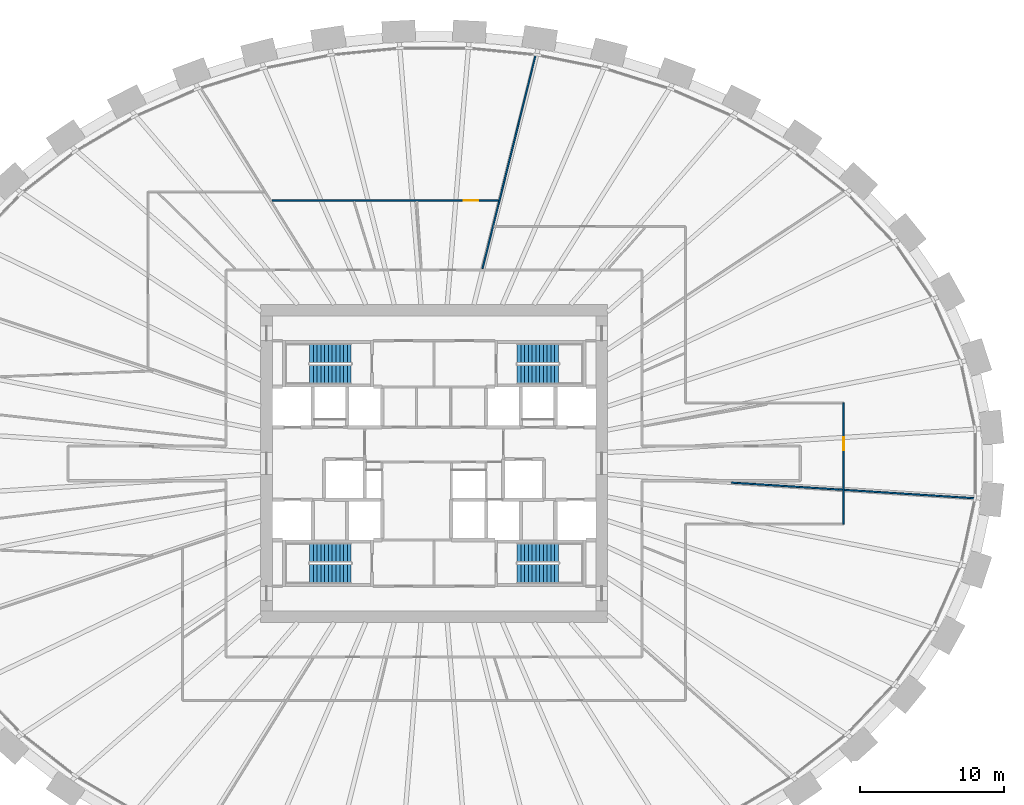
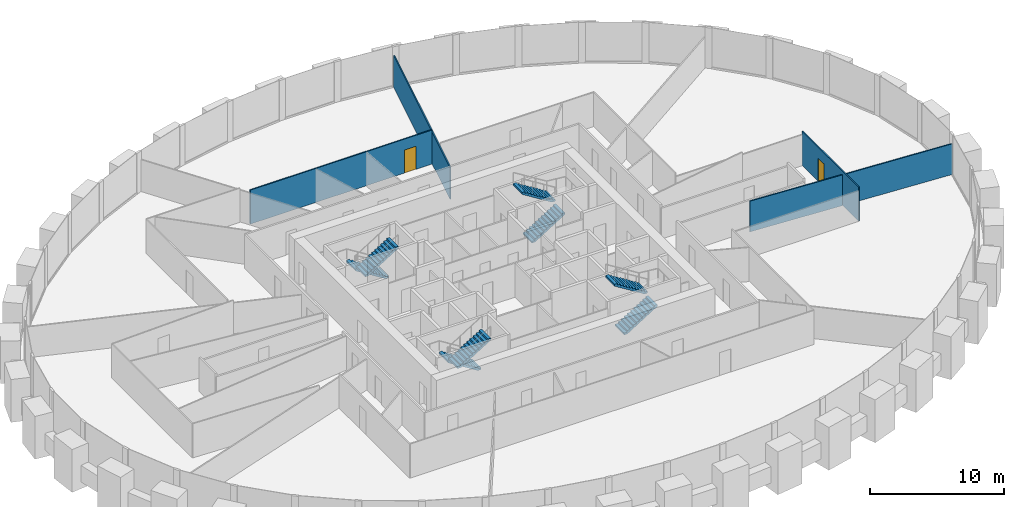
# One storey, part 10 of 11: 8 stair flights, 4 walls, 2 doors, 2 openings, 4 elements without a shape of their own.
"""IFC4 building model written with IfcOpenShell, lengths in metres."""

from ifc_helpers import new_model, si_unit, direction, frame, frame_2d, origin, place, context, subcontext, project, spatial, polyline, rectangle, outline, extrude, source, transform, mapped, material, layer, layer_set, type_object, element, fill, aggregate, save


model = new_model("IFC4")

# Units and contexts
model_context = context("Model", 3, precision=1e-05, world=origin(), true_north=direction((0.0, 1.0)))
body_context = subcontext(model_context, "Body", "Model", "MODEL_VIEW")
ifc_project = project(units=[si_unit("LENGTHUNIT", "METRE"), si_unit("AREAUNIT", "SQUARE_METRE"), si_unit("VOLUMEUNIT", "CUBIC_METRE"), si_unit("PLANEANGLEUNIT", "RADIAN"), si_unit("MASSUNIT", "GRAM", prefix="KILO")], contexts=[model_context])

# Site, building, storey
site_placement = place(None, origin())
site = spatial("IfcSite", under=ifc_project, at=site_placement, CompositionType="ELEMENT")
building_placement = place(site_placement, origin())
building = spatial("IfcBuilding", under=site, at=building_placement, Name="Embergate Tower", CompositionType="ELEMENT")
storey_placement = place(building_placement, frame((0.0, 0.0, 139.800048828125)))
storey = spatial("IfcBuildingStorey", under=building, at=storey_placement, Name="L30", CompositionType="ELEMENT", Elevation=139.800048828125)

# Wall, opening, door
ifc_material_1 = material(Name="Partition dry-lined 100")
ifc_layer_1 = layer(ifc_material_1, 0.10009765625)
ifc_layer_set_1 = layer_set([ifc_layer_1], Name="Partition dry-lined 100")
wall_type_1 = type_object("IfcWallType", Name="Partition dry-lined 100", PredefinedType="PARTITIONING", material=ifc_layer_set_1)
shared_shape_1 = source(origin(), body_context, "Body", "SweptSolid", [
    extrude(rectangle(XDim=8.39990234375, YDim=0.10009765625, at=frame_2d((4.199951171875, 0.0))), origin(), (0.0, 0.0, 1.0), 3.099853515625),
])
wall_1_placement = place(storey_placement, frame((28.35009765625, 4.199951171875, 0.0), z_axis=(0.0, 0.0, 1.0), x_axis=(0.0, -1.0, 0.0)))
wall_1 = element("IfcWall", 1, at=wall_1_placement, inside=storey, type_object=wall_type_1, Name="IP-1 wall", PredefinedType="PARTITIONING", context=body_context, shape_type="MappedRepresentation", body=[
    mapped(shared_shape_1, transform((0.0, 0.0, 0.0))),
])
shared_shape_2 = source(origin(), body_context, "Body", "SweptSolid", [
    extrude(rectangle(XDim=0.89990234375, YDim=2.10009765625, at=frame_2d((0.449951171875, 1.050048828125))), frame((0.0, 0.06005859375, 0.0), z_axis=(0.0, -1.0, 0.0), x_axis=(1.0, 0.0, 0.0)), (0.0, 0.0, 1.0), 0.1201171875),
])
opening_1_placement = place(wall_1_placement, frame((2.381103515625, 0.0, 0.0)))
opening_1 = element("IfcOpeningElement", 2, at=opening_1_placement, cuts=wall_1, Name="Opening ID-1", PredefinedType="OPENING", context=body_context, shape_type="MappedRepresentation", body=[
    mapped(shared_shape_2, transform((0.0, 0.0, 0.0))),
])
ifc_material_2 = material(Name="Interior door 900")
door_type_1 = type_object("IfcDoorType", Name="Interior door 900", OperationType="SINGLE_SWING_LEFT", PredefinedType="DOOR", material=ifc_material_2)
shared_shape_3 = source(origin(), body_context, "Body", "SweptSolid", [
    extrude(rectangle(XDim=0.89990234375, YDim=2.10009765625, at=frame_2d((0.449951171875, 1.050048828125))), frame((0.0, 0.02490234375, 0.0), z_axis=(0.0, -1.0, 0.0), x_axis=(1.0, 0.0, 0.0)), (0.0, 0.0, 1.0), 0.050048828125),
])
door_1_placement = place(opening_1_placement, origin())
door_1 = element("IfcDoor", 3, at=door_1_placement, inside=storey, type_object=door_type_1, Name="ID-1 door", OperationType="SINGLE_SWING_RIGHT", OverallHeight=2.10009765625, OverallWidth=0.89990234375, PredefinedType="DOOR", context=body_context, shape_type="MappedRepresentation", body=[
    mapped(shared_shape_3, transform((0.0, 0.0, 0.0))),
])
fill(opening_1, door_1)

# Walls
ifc_material_3 = material(Name="Partition dry-lined 100 wet")
ifc_layer_2 = layer(ifc_material_3, 0.10009765625)
ifc_layer_set_2 = layer_set([ifc_layer_2], Name="Partition dry-lined 100 wet")
wall_type_2 = type_object("IfcWallType", Name="Partition dry-lined 100 wet", PredefinedType="PLUMBINGWALL", material=ifc_layer_set_2)
shared_shape_4 = source(origin(), body_context, "Body", "SweptSolid", [
    extrude(rectangle(XDim=16.8779296875, YDim=0.10009765625, at=frame_2d((8.43896484375, 0.0))), origin(), (0.0, 0.0, 1.0), 2.800048828125),
])
wall_2_placement = place(storey_placement, frame((37.428955078125, -2.408935546875, 0.0), z_axis=(0.0, 0.0, 1.0), x_axis=(-0.9979354297, 0.064225214279, 0.0)))
element("IfcWall", 4, at=wall_2_placement, inside=storey, type_object=wall_type_2, Name="IP-1 wall", PredefinedType="PLUMBINGWALL", context=body_context, shape_type="MappedRepresentation", body=[
    mapped(shared_shape_4, transform((0.0, 0.0, 0.0))),
])
shared_shape_5 = source(origin(), body_context, "Body", "SweptSolid", [
    extrude(rectangle(XDim=15.25390625, YDim=0.10009765625, at=frame_2d((7.626953125, 0.0))), origin(), (0.0, 0.0, 1.0), 2.89990234375),
])
wall_3_placement = place(storey_placement, frame((3.35107421875, 13.487060546875, 0.0), z_axis=(0.0, 0.0, 1.0), x_axis=(0.241115625905, 0.970496396152, 0.0)))
element("IfcWall", 5, at=wall_3_placement, inside=storey, type_object=wall_type_1, Name="IP-1 wall", PredefinedType="PARTITIONING", context=body_context, shape_type="MappedRepresentation", body=[
    mapped(shared_shape_5, transform((0.0, 0.0, 0.0))),
])

# Wall, opening, door
shared_shape_6 = source(origin(), body_context, "Body", "SweptSolid", [
    extrude(rectangle(XDim=15.677001953125, YDim=0.10009765625, at=frame_2d((7.83837890625, 0.0))), origin(), (0.0, 0.0, 1.0), 3.099853515625),
])
wall_4_placement = place(storey_placement, frame((-11.218994140625, 18.199951171875, 0.0), z_axis=(0.0, 0.0, 1.0), x_axis=(1.0, 0.0, 0.0)))
wall_4 = element("IfcWall", 6, at=wall_4_placement, inside=storey, type_object=wall_type_1, Name="IP-1 wall", PredefinedType="PARTITIONING", context=body_context, shape_type="MappedRepresentation", body=[
    mapped(shared_shape_6, transform((0.0, 0.0, 0.0))),
])
shared_shape_7 = source(origin(), body_context, "Body", "SweptSolid", [
    extrude(rectangle(XDim=1.0, YDim=2.10009765625, at=frame_2d((0.5, 1.050048828125))), frame((0.0, 0.06005859375, 0.0), z_axis=(0.0, -1.0, 0.0), x_axis=(1.0, 0.0, 0.0)), (0.0, 0.0, 1.0), 0.1201171875),
])
opening_2_placement = place(wall_4_placement, frame((13.286865234375, 0.0, 0.0)))
opening_2 = element("IfcOpeningElement", 7, at=opening_2_placement, cuts=wall_4, Name="Opening ID-2", PredefinedType="OPENING", context=body_context, shape_type="MappedRepresentation", body=[
    mapped(shared_shape_7, transform((0.0, 0.0, 0.0))),
])
ifc_material_4 = material(Name="Interior door 1000")
door_type_2 = type_object("IfcDoorType", Name="Interior door 1000", OperationType="SINGLE_SWING_LEFT", PredefinedType="DOOR", material=ifc_material_4)
shared_shape_8 = source(origin(), body_context, "Body", "SweptSolid", [
    extrude(rectangle(XDim=1.0, YDim=2.10009765625, at=frame_2d((0.5, 1.050048828125))), frame((0.0, 0.02490234375, 0.0), z_axis=(0.0, -1.0, 0.0), x_axis=(1.0, 0.0, 0.0)), (0.0, 0.0, 1.0), 0.050048828125),
])
door_2_placement = place(opening_2_placement, origin())
door_2 = element("IfcDoor", 8, at=door_2_placement, inside=storey, type_object=door_type_2, Name="ID-2 door", OperationType="SINGLE_SWING_LEFT", OverallHeight=2.10009765625, OverallWidth=1.0, PredefinedType="DOOR", context=body_context, shape_type="MappedRepresentation", body=[
    mapped(shared_shape_8, transform((0.0, 0.0, 0.0))),
])
fill(opening_2, door_2)

# Stair, stair flights
ifc_material_5 = material(Name="Exit stair")
stair_type = type_object("IfcStairType", Name="Exit stair", PredefinedType="HALF_TURN_STAIR", material=ifc_material_5)
stair_1_placement = place(storey_placement, origin())
stair_1 = element("IfcStair", 9, at=stair_1_placement, inside=storey, type_object=stair_type, Name="L30 Exit stair 1", PredefinedType="HALF_TURN_STAIR")
ifc_material_6 = material(Name="Concrete C40", Category="concrete")
stair_flight_type = type_object("IfcStairFlightType", Name="Stair flight reinforced concrete", PredefinedType="STRAIGHT", material=ifc_material_6)
shared_shape_9 = source(origin(), body_context, "Body", "SweptSolid", [
    extrude(outline(polyline([(0.0, 0.0), (0.0, 0.16259765625), (0.260009765625, 0.16259765625), (0.260009765625, 0.324951171875), (0.52001953125, 0.324951171875), (0.52001953125, 0.487548828125), (0.780029296875, 0.487548828125), (0.780029296875, 0.64990234375), (1.0400390625, 0.64990234375), (1.0400390625, 0.8125), (1.300048828125, 0.8125), (1.300048828125, 0.97509765625), (1.56005859375, 0.97509765625), (1.56005859375, 1.137451171875), (1.820068359375, 1.137451171875), (1.820068359375, 1.300048828125), (2.080078125, 1.300048828125), (2.080078125, 1.46240234375), (2.340087890625, 1.46240234375), (2.340087890625, 1.625), (2.60009765625, 1.625), (2.60009765625, 1.78759765625), (2.860107421875, 1.78759765625), (2.860107421875, 1.949951171875), (2.860107421875, 1.61083984375), (0.28271484375, 0.0), (0.0, 0.0)])), frame((0.0, 0.675048828125, 0.0), z_axis=(0.0, -1.0, 0.0), x_axis=(1.0, 0.0, 0.0)), (0.0, 0.0, 1.0), 1.35009765625),
])
stair_flight_1_placement = place(storey_placement, frame((-5.75, 7.625, 0.0), z_axis=(0.0, 0.0, 1.0), x_axis=(-1.0, 0.0, 0.0)))
stair_flight_1 = element("IfcStairFlight", 10, at=stair_flight_1_placement, type_object=stair_flight_type, Name="ST1 flight 1", NumberOfRisers=12, NumberOfTreads=11, PredefinedType="STRAIGHT", RiserHeight=0.1625, TreadLength=0.26, context=body_context, shape_type="MappedRepresentation", body=[
    mapped(shared_shape_9, transform((0.0, 0.0, 0.0))),
])
stair_flight_2_placement = place(storey_placement, frame((-8.610107421875, 6.175048828125, 1.949951171875), z_axis=(0.0, 0.0, 1.0), x_axis=(1.0, 0.0, 0.0)))
stair_flight_2 = element("IfcStairFlight", 11, at=stair_flight_2_placement, type_object=stair_flight_type, Name="ST1 flight 2", NumberOfRisers=12, NumberOfTreads=11, PredefinedType="STRAIGHT", RiserHeight=0.1625, TreadLength=0.26, context=body_context, shape_type="MappedRepresentation", body=[
    mapped(shared_shape_9, transform((0.0, 0.0, 0.0))),
])
aggregate(stair_1, [stair_flight_1, stair_flight_2])

stair_2_placement = place(storey_placement, origin())
stair_2 = element("IfcStair", 12, at=stair_2_placement, inside=storey, type_object=stair_type, Name="L30 Exit stair 2", PredefinedType="HALF_TURN_STAIR")
stair_flight_3_placement = place(storey_placement, frame((5.75, 6.175048828125, 0.0), z_axis=(0.0, 0.0, 1.0), x_axis=(1.0, 0.0, 0.0)))
stair_flight_3 = element("IfcStairFlight", 13, at=stair_flight_3_placement, type_object=stair_flight_type, Name="ST2 flight 1", NumberOfRisers=12, NumberOfTreads=11, PredefinedType="STRAIGHT", RiserHeight=0.1625, TreadLength=0.26, context=body_context, shape_type="MappedRepresentation", body=[
    mapped(shared_shape_9, transform((0.0, 0.0, 0.0))),
])
stair_flight_4_placement = place(storey_placement, frame((8.610107421875, 7.625, 1.949951171875), z_axis=(0.0, 0.0, 1.0), x_axis=(-1.0, 0.0, 0.0)))
stair_flight_4 = element("IfcStairFlight", 14, at=stair_flight_4_placement, type_object=stair_flight_type, Name="ST2 flight 2", NumberOfRisers=12, NumberOfTreads=11, PredefinedType="STRAIGHT", RiserHeight=0.1625, TreadLength=0.26, context=body_context, shape_type="MappedRepresentation", body=[
    mapped(shared_shape_9, transform((0.0, 0.0, 0.0))),
])
aggregate(stair_2, [stair_flight_3, stair_flight_4])

stair_3_placement = place(storey_placement, origin())
stair_3 = element("IfcStair", 15, at=stair_3_placement, inside=storey, type_object=stair_type, Name="L30 Exit stair 3", PredefinedType="HALF_TURN_STAIR")
stair_flight_5_placement = place(storey_placement, frame((-5.75, -6.175048828125, 0.0), z_axis=(0.0, 0.0, 1.0), x_axis=(-1.0, 0.0, 0.0)))
stair_flight_5 = element("IfcStairFlight", 16, at=stair_flight_5_placement, type_object=stair_flight_type, Name="ST3 flight 1", NumberOfRisers=12, NumberOfTreads=11, PredefinedType="STRAIGHT", RiserHeight=0.1625, TreadLength=0.26, context=body_context, shape_type="MappedRepresentation", body=[
    mapped(shared_shape_9, transform((0.0, 0.0, 0.0))),
])
stair_flight_6_placement = place(storey_placement, frame((-8.610107421875, -7.625, 1.949951171875), z_axis=(0.0, 0.0, 1.0), x_axis=(1.0, 0.0, 0.0)))
stair_flight_6 = element("IfcStairFlight", 17, at=stair_flight_6_placement, type_object=stair_flight_type, Name="ST3 flight 2", NumberOfRisers=12, NumberOfTreads=11, PredefinedType="STRAIGHT", RiserHeight=0.1625, TreadLength=0.26, context=body_context, shape_type="MappedRepresentation", body=[
    mapped(shared_shape_9, transform((0.0, 0.0, 0.0))),
])
aggregate(stair_3, [stair_flight_5, stair_flight_6])

stair_4_placement = place(storey_placement, origin())
stair_4 = element("IfcStair", 18, at=stair_4_placement, inside=storey, type_object=stair_type, Name="L30 Exit stair 4", PredefinedType="HALF_TURN_STAIR")
stair_flight_7_placement = place(storey_placement, frame((5.75, -7.625, 0.0), z_axis=(0.0, 0.0, 1.0), x_axis=(1.0, 0.0, 0.0)))
stair_flight_7 = element("IfcStairFlight", 19, at=stair_flight_7_placement, type_object=stair_flight_type, Name="ST4 flight 1", NumberOfRisers=12, NumberOfTreads=11, PredefinedType="STRAIGHT", RiserHeight=0.1625, TreadLength=0.26, context=body_context, shape_type="MappedRepresentation", body=[
    mapped(shared_shape_9, transform((0.0, 0.0, 0.0))),
])
stair_flight_8_placement = place(storey_placement, frame((8.610107421875, -6.175048828125, 1.949951171875), z_axis=(0.0, 0.0, 1.0), x_axis=(-1.0, 0.0, 0.0)))
stair_flight_8 = element("IfcStairFlight", 20, at=stair_flight_8_placement, type_object=stair_flight_type, Name="ST4 flight 2", NumberOfRisers=12, NumberOfTreads=11, PredefinedType="STRAIGHT", RiserHeight=0.1625, TreadLength=0.26, context=body_context, shape_type="MappedRepresentation", body=[
    mapped(shared_shape_9, transform((0.0, 0.0, 0.0))),
])
aggregate(stair_4, [stair_flight_7, stair_flight_8])

save(model, "model.ifc")
